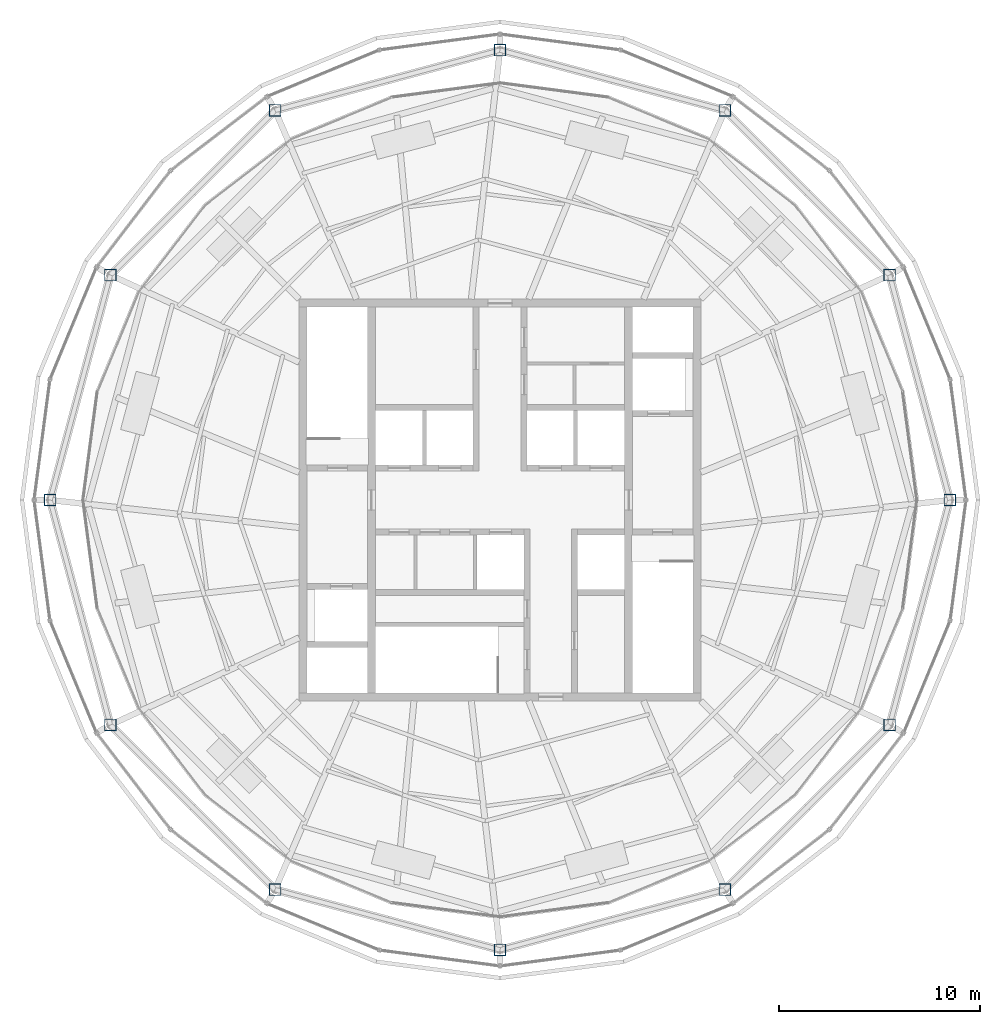
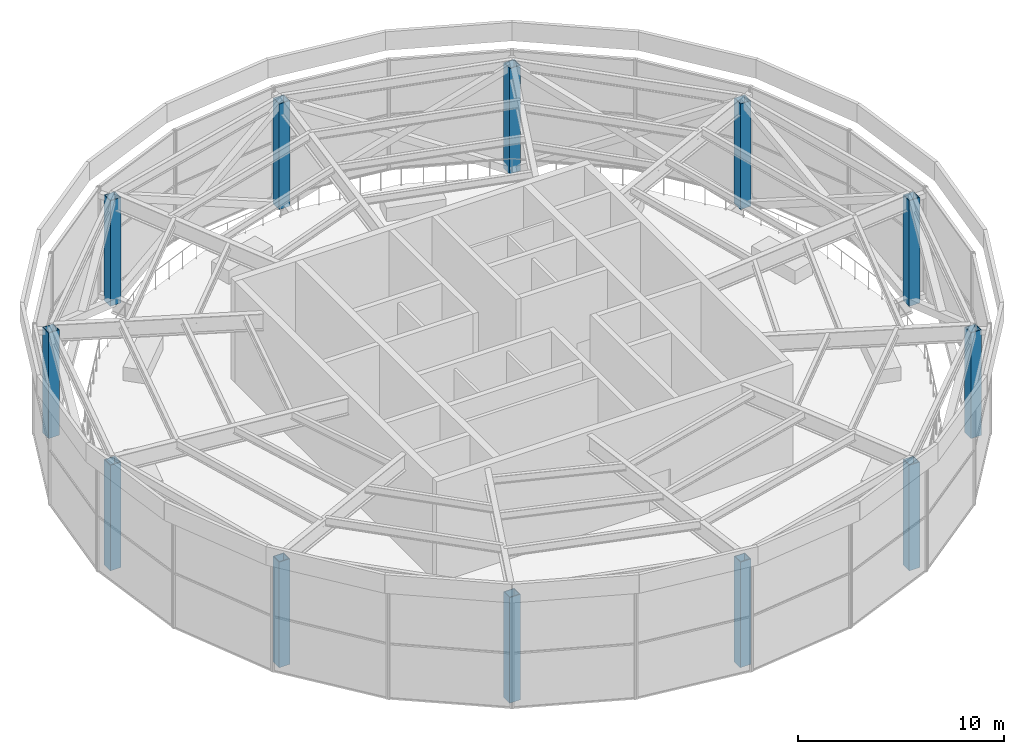
# One storey, part 1 of 13: 12 columns.
"""IFC4 building model written with IfcOpenShell, lengths in metres."""

from ifc_helpers import new_model, si_unit, direction, frame, origin, origin_2d, place, context, subcontext, project, spatial, hollow_rectangle, extrude, material, material_profile, profile_set, type_object, element, save


model = new_model("IFC4")

# Units and contexts
model_context = context("Model", 3, precision=1e-05, world=origin(), true_north=direction((0.0, 1.0)))
body_context = subcontext(model_context, "Body", "Model", "MODEL_VIEW")
ifc_project = project(units=[si_unit("LENGTHUNIT", "METRE"), si_unit("AREAUNIT", "SQUARE_METRE"), si_unit("VOLUMEUNIT", "CUBIC_METRE"), si_unit("PLANEANGLEUNIT", "RADIAN"), si_unit("MASSUNIT", "GRAM", prefix="KILO")], contexts=[model_context])

# Site, building, storey
site_placement = place(None, origin())
site = spatial("IfcSite", under=ifc_project, at=site_placement, CompositionType="ELEMENT")
building_placement = place(site_placement, origin())
building = spatial("IfcBuilding", under=site, at=building_placement, Name="Golbaran Civic Tower", CompositionType="ELEMENT")
storey_placement = place(building_placement, frame((0.0, 0.0, 284.0)))
storey = spatial("IfcBuildingStorey", under=building, at=storey_placement, Name="L69", CompositionType="ELEMENT", Elevation=284.0)

# Columns
ifc_material = material(Name="Steel S355", Category="steel")
ifc_material_profile = material_profile(ifc_material, hollow_rectangle(XDim=0.60009765625, YDim=0.60009765625, WallThickness=0.0400390625, at=origin_2d()), Name="BOX 600x600x40")
ifc_profile_set = profile_set([ifc_material_profile], Name="Steel S355")
column_type = type_object("IfcColumnType", Name="CROWN FRAME CANOPY POST BOX 600x600x40", PredefinedType="COLUMN", material=ifc_profile_set)
for number, where, z_axis, x_axis, name in (
    (1, (22.39990234375, 0.0, -0.7099609375), (0.0, 0.0, 1.0), (1.0, 0.0, 0.0), "Canopy post 1"),
    (2, (19.39892578125, 11.199951171875, -0.7099609375), (0.0, 0.0, 1.0), (1.0, 0.0, 0.0), "Canopy post 2"),
    (3, (11.199951171875, 19.39892578125, -0.7099609375), (0.0, 0.0, 1.0), (1.0, 0.0, 0.0), "Canopy post 3"),
    (4, (0.0, 22.39990234375, -0.7099609375), (0.0, 0.0, 1.0), (1.0, 0.0, 0.0), "Canopy post 4"),
    (5, (-11.199951171875, 19.39892578125, -0.7099609375), (0.0, 0.0, 1.0), (1.0, 0.0, 0.0), "Canopy post 5"),
    (6, (-19.39892578125, 11.199951171875, -0.7099609375), (0.0, 0.0, 1.0), (1.0, 0.0, 0.0), "Canopy post 6"),
    (7, (-22.39990234375, 0.0, -0.7099609375), (0.0, 0.0, 1.0), (1.0, 0.0, 0.0), "Canopy post 7"),
    (8, (-19.39892578125, -11.199951171875, -0.7099609375), (0.0, 0.0, 1.0), (1.0, 0.0, 0.0), "Canopy post 8"),
    (9, (-11.199951171875, -19.39892578125, -0.7099609375), (0.0, 0.0, 1.0), (1.0, 0.0, 0.0), "Canopy post 9"),
    (10, (0.0, -22.39990234375, -0.7099609375), (0.0, 0.0, 1.0), (1.0, 0.0, 0.0), "Canopy post 10"),
    (11, (11.199951171875, -19.39892578125, -0.7099609375), (0.0, 0.0, 1.0), (1.0, 0.0, 0.0), "Canopy post 11"),
    (12, (19.39892578125, -11.199951171875, -0.7099609375), (0.0, 0.0, 1.0), (1.0, 0.0, 0.0), "Canopy post 12"),
):
    element("IfcColumn", number, at=place(storey_placement, frame(where, z_axis=z_axis, x_axis=x_axis)), inside=storey, type_object=column_type, Name=name, PredefinedType="COLUMN", context=body_context, shape_type="SweptSolid", body=[
        extrude(hollow_rectangle(XDim=0.60009765625, YDim=0.60009765625, WallThickness=0.0400390625, at=origin_2d()), origin(), (0.0, 0.0, 1.0), 6.260009765625),
    ])

save(model, "model.ifc")
